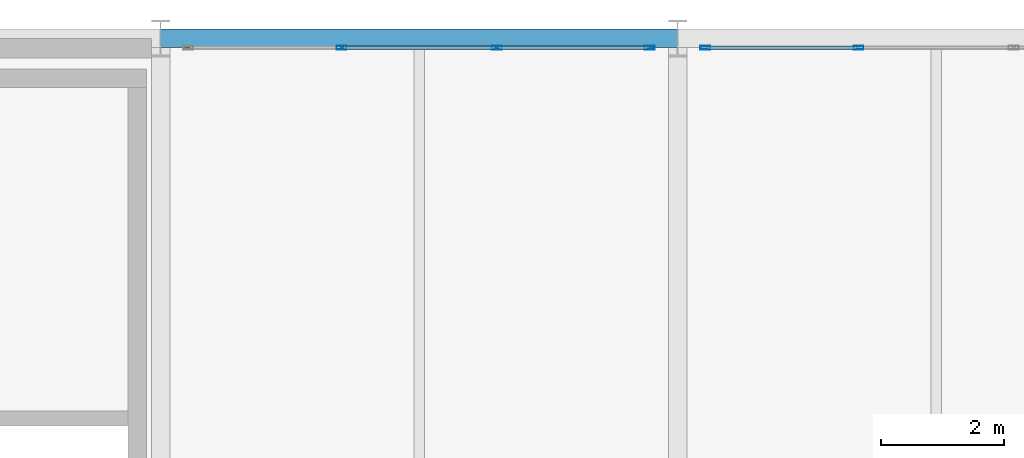
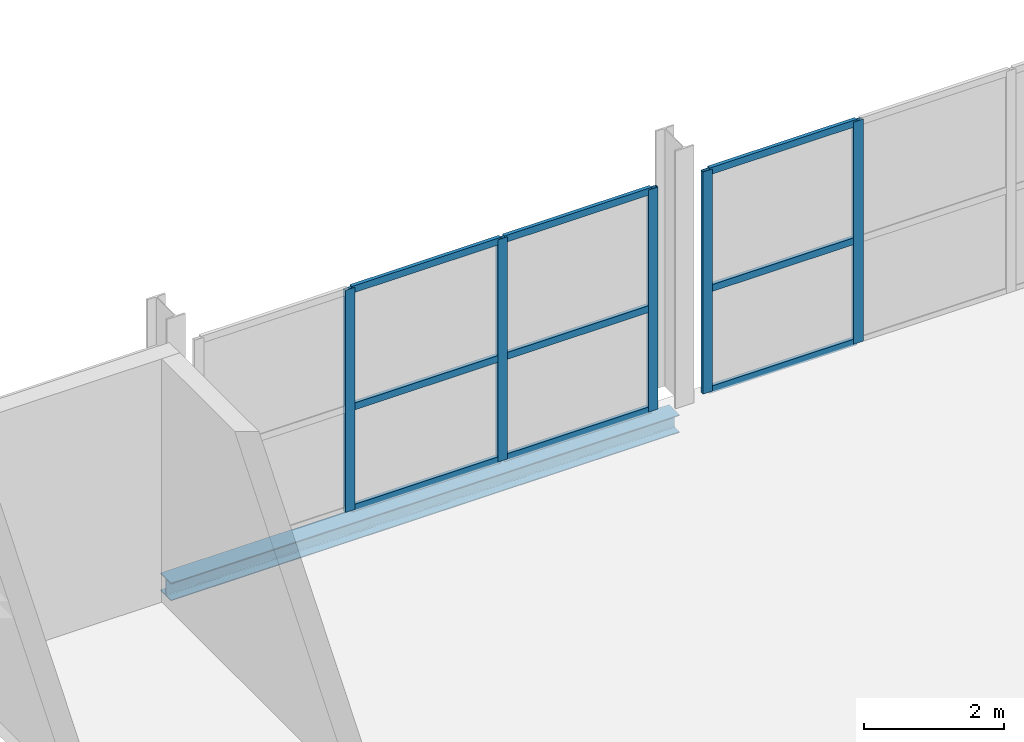
# One storey, part 53 of 109: 14 members, 1 beam, 2 elements without a shape of their own.
"""IFC4 building model written with IfcOpenShell, lengths in metres."""

from ifc_helpers import new_model, si_unit, direction, frame, origin, origin_2d, place, context, subcontext, project, spatial, hollow_rectangle, i_section, extrude, material, material_profile, profile_set, type_object, element, aggregate, save


model = new_model("IFC4")

# Units and contexts
model_context = context("Model", 3, precision=1e-05, world=origin(), true_north=direction((0.0, 1.0)))
body_context = subcontext(model_context, "Body", "Model", "MODEL_VIEW")
ifc_project = project(units=[si_unit("LENGTHUNIT", "METRE"), si_unit("AREAUNIT", "SQUARE_METRE"), si_unit("VOLUMEUNIT", "CUBIC_METRE"), si_unit("PLANEANGLEUNIT", "RADIAN"), si_unit("MASSUNIT", "GRAM", prefix="KILO")], contexts=[model_context])

# Site, building, storey
site_placement = place(None, origin())
site = spatial("IfcSite", under=ifc_project, at=site_placement, CompositionType="ELEMENT")
building_placement = place(site_placement, origin())
building = spatial("IfcBuilding", under=site, at=building_placement, Name="Veltarok Museum of Natural Sciences", CompositionType="ELEMENT")
storey_placement = place(building_placement, frame((0.0, 0.0, 17.39990234375)))
storey = spatial("IfcBuildingStorey", under=building, at=storey_placement, Name="L03", CompositionType="ELEMENT", Elevation=17.39990234375)

# Curtain wall, members
ifc_material_1 = material(Name="Low-iron triple insulated glass", Category="glass")
curtain_wall_type_1 = type_object("IfcCurtainWallType", Name="Curtain Wall System CW-V2N-L03-6-756x388 (V2 North Hall L03 6-7 756x388cm)", PredefinedType="NOTDEFINED", material=ifc_material_1)
curtain_wall_1_placement = place(storey_placement, origin())
curtain_wall_1 = element("IfcCurtainWall", 1, at=curtain_wall_1_placement, inside=storey, type_object=curtain_wall_type_1, Name="Curtain Wall CW-V2N-L03-6-756x388 CW-0055", PredefinedType="NOTDEFINED")
ifc_material_2 = material(Name="Thermally broken anodised aluminium", Category="aluminium")
ifc_material_profile_1 = material_profile(ifc_material_2, hollow_rectangle(XDim=0.06005859375, YDim=0.1201171875, WallThickness=0.0048828125, at=origin_2d()), Name="CW TRANSOM 60x120x5")
ifc_profile_set_1 = profile_set([ifc_material_profile_1], Name="Thermally broken anodised aluminium")
member_type_1 = type_object("IfcMemberType", Name="Curtain Wall Horizontal Transom 60x120x5", PredefinedType="USERDEFINED", material=ifc_profile_set_1)
member_1_placement = place(storey_placement, frame((56.320068359375, 71.85009765625, 0.030029296875), z_axis=(-1.0, 0.0, 0.0), x_axis=(0.0, -1.0, 0.0)))
member_1 = element("IfcMember", 2, at=member_1_placement, type_object=member_type_1, Name="CW-V2N-L03-6-756x388 transom 1.1", ObjectType="TRANSOM", PredefinedType="USERDEFINED", context=body_context, shape_type="SweptSolid", body=[
    extrude(hollow_rectangle(XDim=0.06005859375, YDim=0.1201171875, WallThickness=0.0048828125, at=origin_2d()), origin(), (0.0, 0.0, 1.0), 2.43017578125),
])
member_2_placement = place(storey_placement, frame((56.320068359375, 71.85009765625, 1.800048828125), z_axis=(-1.0, 0.0, 0.0), x_axis=(0.0, -1.0, 0.0)))
member_2 = element("IfcMember", 3, at=member_2_placement, type_object=member_type_1, Name="CW-V2N-L03-6-756x388 transom 1.2", ObjectType="TRANSOM", PredefinedType="USERDEFINED", context=body_context, shape_type="SweptSolid", body=[
    extrude(hollow_rectangle(XDim=0.06005859375, YDim=0.1201171875, WallThickness=0.0048828125, at=origin_2d()), origin(), (0.0, 0.0, 1.0), 2.43017578125),
])
member_3_placement = place(storey_placement, frame((56.320068359375, 71.85009765625, 3.85009765625), z_axis=(-1.0, 0.0, 0.0), x_axis=(0.0, -1.0, 0.0)))
member_3 = element("IfcMember", 4, at=member_3_placement, type_object=member_type_1, Name="CW-V2N-L03-6-756x388 transom 1.3", ObjectType="TRANSOM", PredefinedType="USERDEFINED", context=body_context, shape_type="SweptSolid", body=[
    extrude(hollow_rectangle(XDim=0.06005859375, YDim=0.1201171875, WallThickness=0.0048828125, at=origin_2d()), origin(), (0.0, 0.0, 1.0), 2.43017578125),
])
member_4_placement = place(storey_placement, frame((53.830078125, 71.85009765625, 0.030029296875), z_axis=(-1.0, 0.0, 0.0), x_axis=(0.0, -1.0, 0.0)))
member_4 = element("IfcMember", 5, at=member_4_placement, type_object=member_type_1, Name="CW-V2N-L03-6-756x388 transom 2.1", ObjectType="TRANSOM", PredefinedType="USERDEFINED", context=body_context, shape_type="SweptSolid", body=[
    extrude(hollow_rectangle(XDim=0.06005859375, YDim=0.1201171875, WallThickness=0.0048828125, at=origin_2d()), origin(), (0.0, 0.0, 1.0), 2.4599609375),
])
member_5_placement = place(storey_placement, frame((53.830078125, 71.85009765625, 1.800048828125), z_axis=(-1.0, 0.0, 0.0), x_axis=(0.0, -1.0, 0.0)))
member_5 = element("IfcMember", 6, at=member_5_placement, type_object=member_type_1, Name="CW-V2N-L03-6-756x388 transom 2.2", ObjectType="TRANSOM", PredefinedType="USERDEFINED", context=body_context, shape_type="SweptSolid", body=[
    extrude(hollow_rectangle(XDim=0.06005859375, YDim=0.1201171875, WallThickness=0.0048828125, at=origin_2d()), origin(), (0.0, 0.0, 1.0), 2.4599609375),
])
member_6_placement = place(storey_placement, frame((53.830078125, 71.85009765625, 3.85009765625), z_axis=(-1.0, 0.0, 0.0), x_axis=(0.0, -1.0, 0.0)))
member_6 = element("IfcMember", 7, at=member_6_placement, type_object=member_type_1, Name="CW-V2N-L03-6-756x388 transom 2.3", ObjectType="TRANSOM", PredefinedType="USERDEFINED", context=body_context, shape_type="SweptSolid", body=[
    extrude(hollow_rectangle(XDim=0.06005859375, YDim=0.1201171875, WallThickness=0.0048828125, at=origin_2d()), origin(), (0.0, 0.0, 1.0), 2.4599609375),
])

curtain_wall_type_2 = type_object("IfcCurtainWallType", Name="Curtain Wall System CW-V2N-L03-7-756x388 (V2 North Hall L03 7-8 756x388cm)", PredefinedType="NOTDEFINED", material=ifc_material_1)
curtain_wall_2_placement = place(storey_placement, origin())
curtain_wall_2 = element("IfcCurtainWall", 8, at=curtain_wall_2_placement, inside=storey, type_object=curtain_wall_type_2, Name="Curtain Wall CW-V2N-L03-7-756x388 CW-0056", PredefinedType="NOTDEFINED")
member_7_placement = place(storey_placement, frame((59.7099609375, 71.85009765625, 0.030029296875), z_axis=(-1.0, 0.0, 0.0), x_axis=(0.0, -1.0, 0.0)))
member_7 = element("IfcMember", 9, at=member_7_placement, type_object=member_type_1, Name="CW-V2N-L03-7-756x388 transom 3.1", ObjectType="TRANSOM", PredefinedType="USERDEFINED", context=body_context, shape_type="SweptSolid", body=[
    extrude(hollow_rectangle(XDim=0.06005859375, YDim=0.1201171875, WallThickness=0.0048828125, at=origin_2d()), origin(), (0.0, 0.0, 1.0), 2.429931640625),
])
member_8_placement = place(storey_placement, frame((59.7099609375, 71.85009765625, 1.800048828125), z_axis=(-1.0, 0.0, 0.0), x_axis=(0.0, -1.0, 0.0)))
member_8 = element("IfcMember", 10, at=member_8_placement, type_object=member_type_1, Name="CW-V2N-L03-7-756x388 transom 3.2", ObjectType="TRANSOM", PredefinedType="USERDEFINED", context=body_context, shape_type="SweptSolid", body=[
    extrude(hollow_rectangle(XDim=0.06005859375, YDim=0.1201171875, WallThickness=0.0048828125, at=origin_2d()), origin(), (0.0, 0.0, 1.0), 2.429931640625),
])
member_9_placement = place(storey_placement, frame((59.7099609375, 71.85009765625, 3.85009765625), z_axis=(-1.0, 0.0, 0.0), x_axis=(0.0, -1.0, 0.0)))
member_9 = element("IfcMember", 11, at=member_9_placement, type_object=member_type_1, Name="CW-V2N-L03-7-756x388 transom 3.3", ObjectType="TRANSOM", PredefinedType="USERDEFINED", context=body_context, shape_type="SweptSolid", body=[
    extrude(hollow_rectangle(XDim=0.06005859375, YDim=0.1201171875, WallThickness=0.0048828125, at=origin_2d()), origin(), (0.0, 0.0, 1.0), 2.429931640625),
])

# Member
ifc_material_profile_2 = material_profile(ifc_material_2, hollow_rectangle(XDim=0.06005859375, YDim=0.159912109375, WallThickness=0.0048828125, at=origin_2d()), Name="CW MULLION 60x160x5")
ifc_profile_set_2 = profile_set([ifc_material_profile_2], Name="Thermally broken anodised aluminium")
member_type_2 = type_object("IfcMemberType", Name="Curtain Wall Vertical Mullion 60x160x5", PredefinedType="MULLION", material=ifc_profile_set_2)
member_10_placement = place(storey_placement, frame((56.35009765625, 71.85009765625, 0.0), z_axis=(0.0, 0.0, 1.0), x_axis=(0.0, -1.0, 0.0)))
member_10 = element("IfcMember", 12, at=member_10_placement, type_object=member_type_2, Name="CW-V2N-L03-6-756x388 mullion 1", PredefinedType="MULLION", context=body_context, shape_type="SweptSolid", body=[
    extrude(hollow_rectangle(XDim=0.06005859375, YDim=0.159912109375, WallThickness=0.0048828125, at=origin_2d()), origin(), (0.0, 0.0, 1.0), 3.880126953125),
])

member_11_placement = place(storey_placement, frame((53.860107421875, 71.85009765625, 0.0), z_axis=(0.0, 0.0, 1.0), x_axis=(0.0, -1.0, 0.0)))
member_11 = element("IfcMember", 13, at=member_11_placement, type_object=member_type_2, Name="CW-V2N-L03-6-756x388 mullion 2", PredefinedType="MULLION", context=body_context, shape_type="SweptSolid", body=[
    extrude(hollow_rectangle(XDim=0.06005859375, YDim=0.159912109375, WallThickness=0.0048828125, at=origin_2d()), origin(), (0.0, 0.0, 1.0), 3.880126953125),
])

member_12_placement = place(storey_placement, frame((51.340087890625, 71.85009765625, 0.0), z_axis=(0.0, 0.0, 1.0), x_axis=(0.0, -1.0, 0.0)))
member_12 = element("IfcMember", 14, at=member_12_placement, type_object=member_type_2, Name="CW-V2N-L03-6-756x388 mullion 3", PredefinedType="MULLION", context=body_context, shape_type="SweptSolid", body=[
    extrude(hollow_rectangle(XDim=0.06005859375, YDim=0.159912109375, WallThickness=0.0048828125, at=origin_2d()), origin(), (0.0, 0.0, 1.0), 3.880126953125),
])

aggregate(curtain_wall_1, [member_10, member_11, member_12, member_1, member_2, member_3, member_4, member_5, member_6])

member_13_placement = place(storey_placement, frame((59.739990234375, 71.85009765625, 0.0), z_axis=(0.0, 0.0, 1.0), x_axis=(0.0, -1.0, 0.0)))
member_13 = element("IfcMember", 15, at=member_13_placement, type_object=member_type_2, Name="CW-V2N-L03-7-756x388 mullion 3", PredefinedType="MULLION", context=body_context, shape_type="SweptSolid", body=[
    extrude(hollow_rectangle(XDim=0.06005859375, YDim=0.159912109375, WallThickness=0.0048828125, at=origin_2d()), origin(), (0.0, 0.0, 1.0), 3.880126953125),
])

member_14_placement = place(storey_placement, frame((57.25, 71.85009765625, 0.0), z_axis=(0.0, 0.0, 1.0), x_axis=(0.0, -1.0, 0.0)))
member_14 = element("IfcMember", 16, at=member_14_placement, type_object=member_type_2, Name="CW-V2N-L03-7-756x388 mullion 4", PredefinedType="MULLION", context=body_context, shape_type="SweptSolid", body=[
    extrude(hollow_rectangle(XDim=0.06005859375, YDim=0.159912109375, WallThickness=0.0048828125, at=origin_2d()), origin(), (0.0, 0.0, 1.0), 3.880126953125),
])

aggregate(curtain_wall_2, [member_13, member_14, member_7, member_8, member_9])

# Beam
ifc_material_3 = material(Name="Steel S355J2", Category="steel")
ifc_material_profile_3 = material_profile(ifc_material_3, i_section(OverallWidth=0.300048828125, OverallDepth=0.31005859375, WebThickness=0.009033203125, FlangeThickness=0.015380859375, FilletRadius=0.027099609375, at=origin_2d()), Name="HEA 320")
ifc_profile_set_3 = profile_set([ifc_material_profile_3], Name="Steel S355J2")
beam_type = type_object("IfcBeamType", Name="Perimeter Edge Spandrel HEA 320", PredefinedType="SPANDREL", material=ifc_profile_set_3)
beam_placement = place(storey_placement, frame((48.39990234375, 72.0, -0.40478515625), z_axis=(1.0, 0.0, 0.0), x_axis=(0.0, 1.0, 0.0)))
element("IfcBeam", 17, at=beam_placement, inside=storey, type_object=beam_type, Name="Beam BM-SP04 L03 6-7/H", PredefinedType="SPANDREL", context=body_context, shape_type="SweptSolid", body=[
    extrude(i_section(OverallWidth=0.300048828125, OverallDepth=0.31005859375, WebThickness=0.009033203125, FlangeThickness=0.015380859375, FilletRadius=0.027099609375, at=origin_2d()), origin(), (0.0, 0.0, 1.0), 8.400146484375),
])

save(model, "model.ifc")
